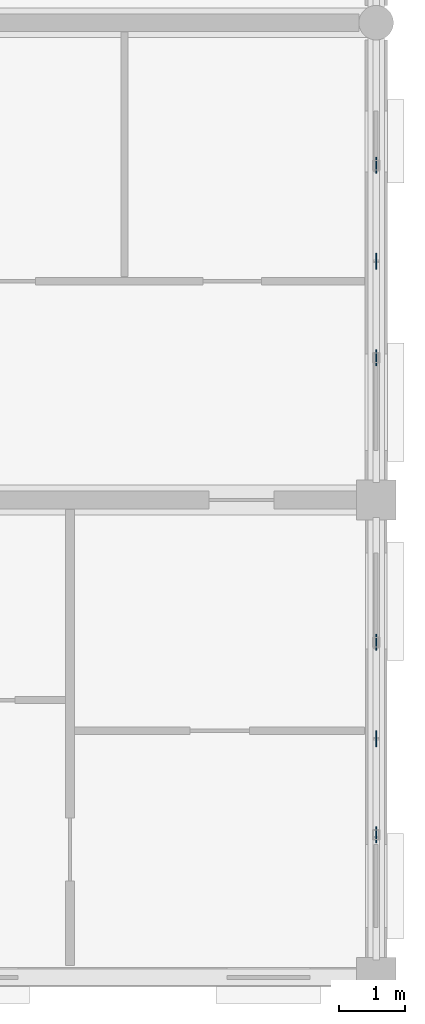
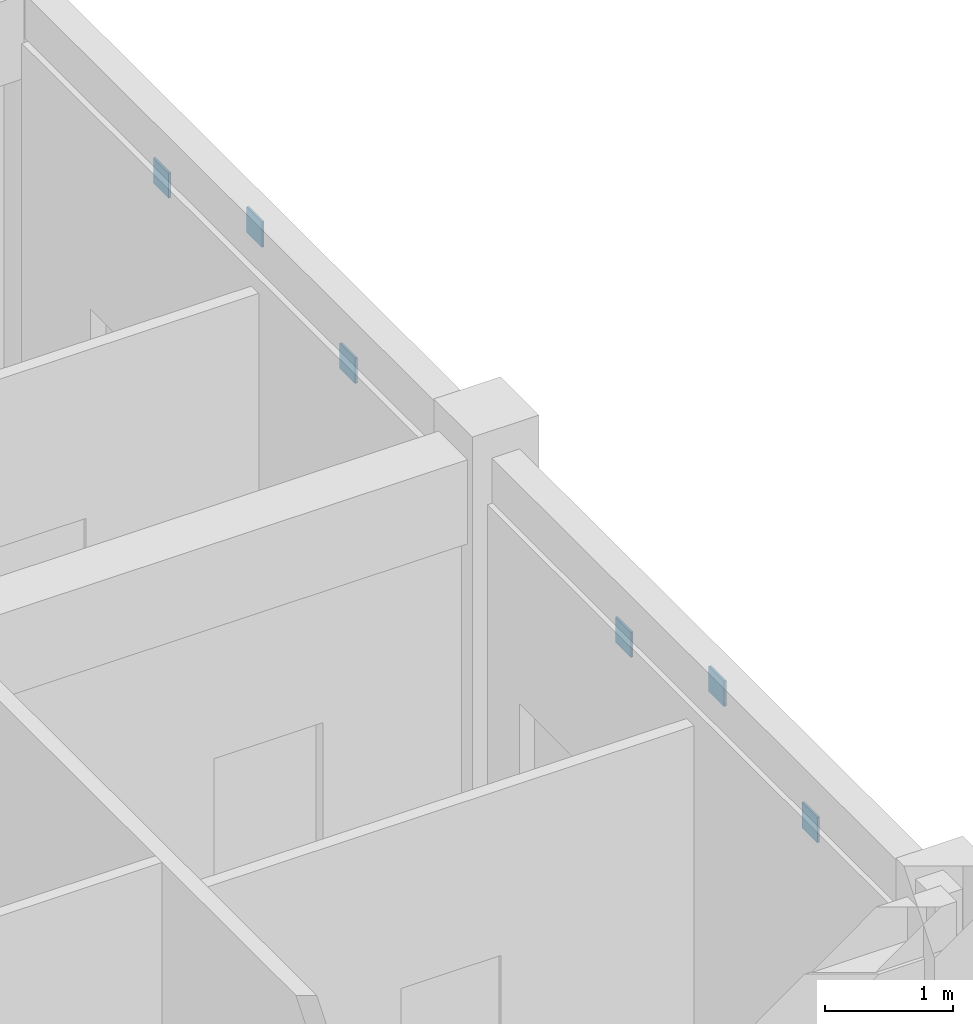
# One storey, part 84 of 138: 6 plates.
"""IFC4 building model written with IfcOpenShell, lengths in metres."""

from ifc_helpers import new_model, si_unit, direction, frame, origin, origin_2d, place, context, subcontext, project, spatial, rectangle, extrude, material, layer, layer_set, type_object, element, save


model = new_model("IFC4")

# Units and contexts
model_context = context("Model", 3, precision=1e-05, world=origin(), true_north=direction((0.0, 1.0)))
body_context = subcontext(model_context, "Body", "Model", "MODEL_VIEW")
ifc_project = project(units=[si_unit("LENGTHUNIT", "METRE"), si_unit("AREAUNIT", "SQUARE_METRE"), si_unit("VOLUMEUNIT", "CUBIC_METRE"), si_unit("PLANEANGLEUNIT", "RADIAN"), si_unit("MASSUNIT", "GRAM", prefix="KILO"), si_unit("THERMODYNAMICTEMPERATUREUNIT", "KELVIN"), si_unit("POWERUNIT", "WATT")], contexts=[model_context])

# Site, building, storey
site_placement = place(None, origin())
site = spatial("IfcSite", under=ifc_project, at=site_placement, CompositionType="ELEMENT")
building_placement = place(site_placement, origin())
building = spatial("IfcBuilding", under=site, at=building_placement, Name="Tavuni Mirador Residences", CompositionType="ELEMENT")
storey_placement = place(building_placement, origin())
storey = spatial("IfcBuildingStorey", under=building, at=storey_placement, Name="L00", CompositionType="ELEMENT", Elevation=0.0)

# Plates
ifc_material = material(Name="Structural steel S355", Category="steel")
ifc_layer = layer(ifc_material, 0.01806640625, Name="Structural steel S355", Category="steel")
ifc_layer_set = layer_set([ifc_layer], Name="Structural steel S355")
plate_type = type_object("IfcPlateType", Name="PLT-GP05", PredefinedType="USERDEFINED", material=ifc_layer_set)
for number, where, z_axis, x_axis, name in (
    (1, (118.800048828125, 88.548095703125, 3.49560546875), (0.0, 0.0, 1.0), (1.0, 0.0, 0.0), "ARCH-BLKD-E-00-GQ1"),
    (2, (118.800048828125, 90.0, 3.91015625), (0.0, 0.0, 1.0), (1.0, 0.0, 0.0), "ARCH-BLKD-E-00-GCR"),
    (3, (118.800048828125, 91.451904296875, 3.49560546875), (0.0, 0.0, 1.0), (1.0, 0.0, 0.0), "ARCH-BLKD-E-00-GQ2"),
    (4, (118.800048828125, 95.748046875, 3.49560546875), (0.0, 0.0, 1.0), (1.0, 0.0, 0.0), "ARCH-BLKD-E-01-GQ1"),
    (5, (118.800048828125, 97.199951171875, 3.91015625), (0.0, 0.0, 1.0), (1.0, 0.0, 0.0), "ARCH-BLKD-E-01-GCR"),
    (6, (118.800048828125, 98.652099609375, 3.49560546875), (0.0, 0.0, 1.0), (1.0, 0.0, 0.0), "ARCH-BLKD-E-01-GQ2"),
):
    element("IfcPlate", number, at=place(storey_placement, frame(where, z_axis=z_axis, x_axis=x_axis)), inside=storey, type_object=plate_type, Name=name, ObjectType="GUSSET PLATE", PredefinedType="USERDEFINED", context=body_context, shape_type="SweptSolid", body=[
        extrude(rectangle(XDim=0.02001953125, YDim=0.239990234375, at=origin_2d()), origin(), (0.0, 0.0, 1.0), 0.239990234375),
    ])

save(model, "model.ifc")
